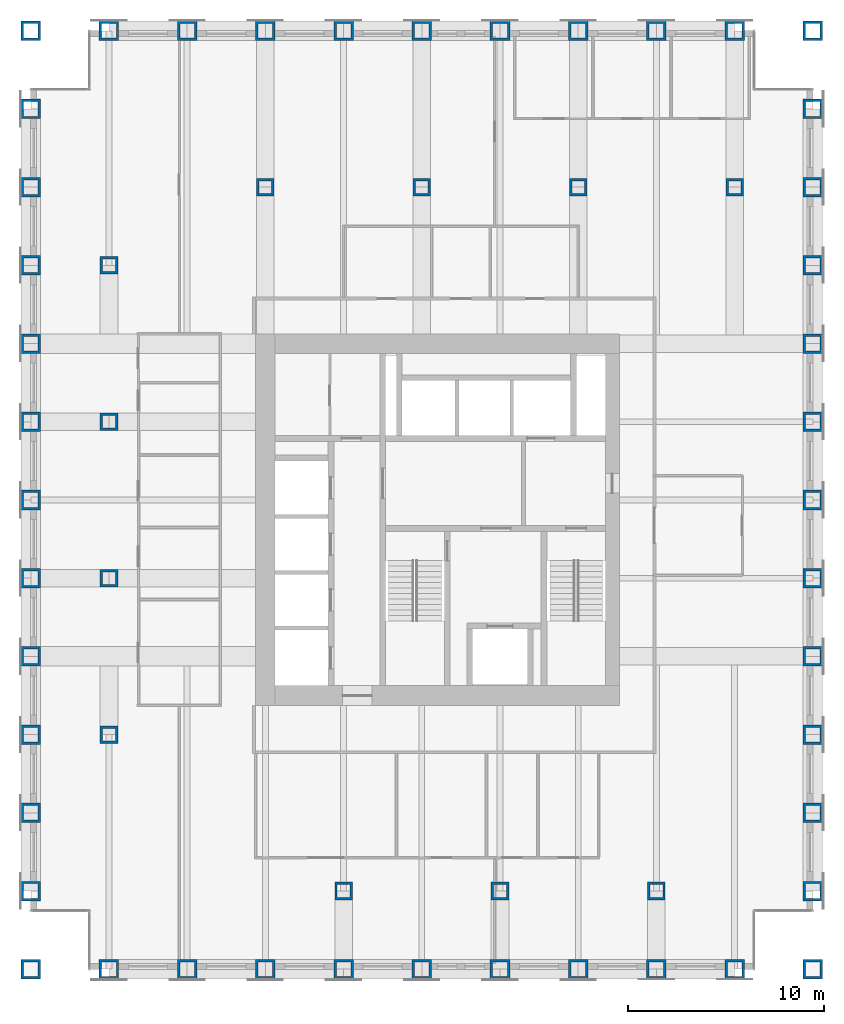
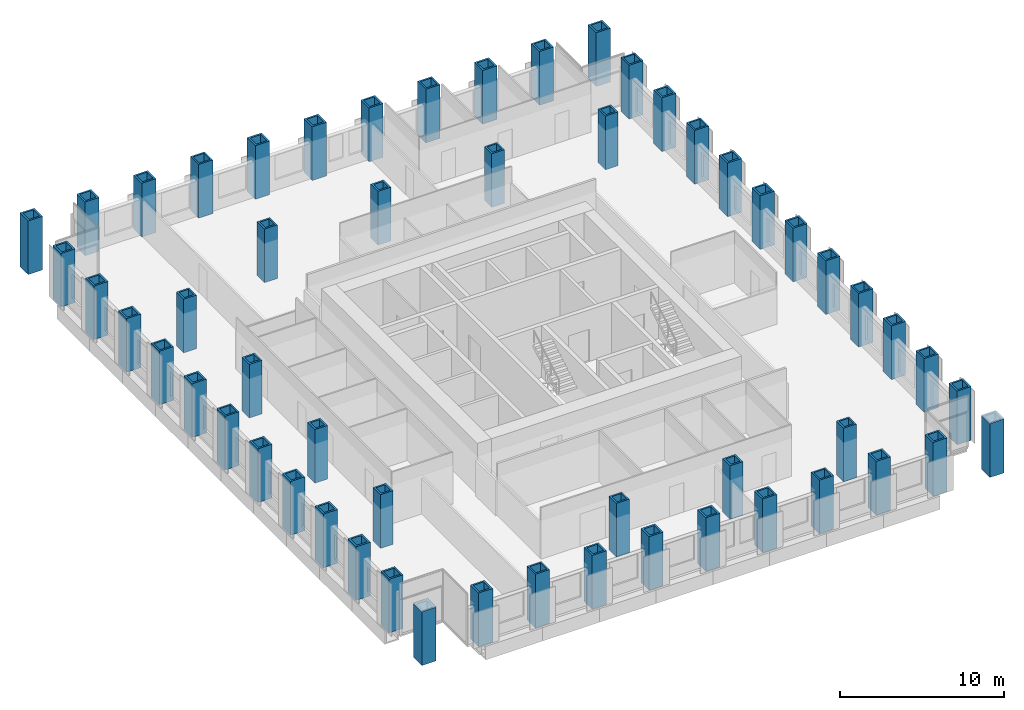
# One storey, part 1 of 12: 55 columns.
"""IFC4 building model written with IfcOpenShell, lengths in metres."""

import ifcopenshell
import ifcopenshell.guid

model = None  # the IFC model being written
_history = None  # IfcOwnerHistory: only IFC2X3 demands one
_inside = {}  # id of a spatial element -> (the spatial element, [elements in it])
_under = {}  # id of a project, library or spatial element -> (it, [spatial elements below it])
_declared = {}  # id of a project -> (the project, [libraries it declares])
_typed = {}  # id of a type object -> (the type object, [elements of that type])
_made_of = {}  # id of a material, layer set ... -> (it, [elements and type objects made of it])


def new_model(schema):
    """Start an empty IFC model of exactly this schema.

    Asked for "IFC4X3", IfcOpenShell would pick the latest addendum, in which some entities
    have other attributes; the version numbers below select the first issue.
    IFC2X3 requires an IfcOwnerHistory on every rooted entity: one is made here for all.
    """
    global model, _history
    if schema == "IFC4X3":
        model = ifcopenshell.file(schema_version=(4, 3, 0, 0))
    else:
        model = ifcopenshell.file(schema=schema)
    _inside.clear()
    _under.clear()
    _declared.clear()
    _typed.clear()
    _made_of.clear()
    _history = None
    if model.schema == "IFC2X3":
        org = make("IfcOrganization", Name="unknown")
        user = make(
            "IfcPersonAndOrganization",
            ThePerson=make("IfcPerson", FamilyName="unknown"),
            TheOrganization=org,
        )
        app = make(
            "IfcApplication",
            ApplicationDeveloper=org,
            Version="unknown",
            ApplicationFullName="unknown",
            ApplicationIdentifier="unknown",
        )
        _history = make(
            "IfcOwnerHistory",
            OwningUser=user,
            OwningApplication=app,
            ChangeAction="ADDED",
            CreationDate=0,
        )
    return model


def make(cls, **values):
    """One entity of the class cls with the attributes given. An attribute that is None is left unset."""
    return model.create_entity(
        cls, **{name: value for name, value in values.items() if value is not None}
    )


def rooted(cls, **values):
    """An entity with a GlobalId (a new one), such as an element, a storey or a relation."""
    return make(cls, GlobalId=ifcopenshell.guid.new(), OwnerHistory=_history, **values)


def si_unit(unit_type, name, prefix=None):
    """IfcSIUnit, for example si_unit("LENGTHUNIT", "METRE", prefix="MILLI")."""
    return make("IfcSIUnit", UnitType=unit_type, Prefix=prefix, Name=name)


def assignment(units):
    """IfcUnitAssignment: the units of a project."""
    return None if units is None else make("IfcUnitAssignment", Units=units)


def point(xyz):
    """IfcCartesianPoint."""
    return None if xyz is None else make("IfcCartesianPoint", Coordinates=xyz)


def direction(xyz):
    """IfcDirection."""
    return None if xyz is None else make("IfcDirection", DirectionRatios=xyz)


def frame(location, z_axis=None, x_axis=None):
    """IfcAxis2Placement3D, a coordinate frame: its origin and axes. An axis left out is left unset."""
    return make(
        "IfcAxis2Placement3D",
        Location=point(location),
        Axis=direction(z_axis),
        RefDirection=direction(x_axis),
    )


def frame_2d(location, x_axis=None):
    """IfcAxis2Placement2D, a coordinate frame in the plane: its origin and x axis."""
    return make(
        "IfcAxis2Placement2D", Location=point(location), RefDirection=direction(x_axis)
    )


def origin():
    """The frame at (0, 0, 0) with its axes left unset."""
    return frame((0.0, 0.0, 0.0))


def origin_2d():
    """The frame at (0, 0) in the plane with its x axis left unset."""
    return frame_2d((0.0, 0.0))


def place(relative_to, where):
    """IfcLocalPlacement: puts the frame where relative to a parent placement (None: the world)."""
    return make(
        "IfcLocalPlacement", PlacementRelTo=relative_to, RelativePlacement=where
    )


def context(
    kind, dimensions, precision=None, world=None, true_north=None, identifier=None
):
    """IfcGeometricRepresentationContext, for example the 3D "Model" context."""
    return make(
        "IfcGeometricRepresentationContext",
        ContextIdentifier=identifier,
        ContextType=kind,
        CoordinateSpaceDimension=dimensions,
        Precision=precision,
        WorldCoordinateSystem=world,
        TrueNorth=true_north,
    )


def subcontext(parent, identifier, kind, view, scale=None):
    """IfcGeometricRepresentationSubContext, for example "Body" below "Model"."""
    return make(
        "IfcGeometricRepresentationSubContext",
        ContextIdentifier=identifier,
        ContextType=kind,
        ParentContext=parent,
        TargetScale=scale,
        TargetView=view,
    )


def project(units=None, contexts=None):
    """IfcProject with its units and contexts."""
    return rooted(
        "IfcProject",
        Name="project",
        RepresentationContexts=contexts,
        UnitsInContext=assignment(units),
    )


def spatial(cls, under=None, at=None, **own):
    """A site, building, storey or space (cls), placed at a placement, below another one or the project."""
    s = rooted(cls, ObjectPlacement=at, **own)
    if under is not None:
        _under.setdefault(under.id(), (under, []))[1].append(s)
    return s


def profile(cls, at=None, kind="AREA", **sizes):
    """A parametric profile (cls). Its sizes go by their IFC names, for example OverallWidth=200.0."""
    return make(cls, ProfileType=kind, Position=at, **sizes)


def hollow_rectangle(**sizes):
    """IfcRectangleHollowProfileDef."""
    return profile("IfcRectangleHollowProfileDef", **sizes)


def extrude(swept, where, along, depth):
    """IfcExtrudedAreaSolid: the profile swept, set in the frame where, extruded along a direction by depth."""
    return make(
        "IfcExtrudedAreaSolid",
        SweptArea=swept,
        Position=where,
        ExtrudedDirection=direction(along),
        Depth=depth,
    )


def shape(context_of_items, identifier, shape_type, items):
    """IfcShapeRepresentation: the items that make up one representation, for example the "Body"."""
    return make(
        "IfcShapeRepresentation",
        ContextOfItems=context_of_items,
        RepresentationIdentifier=identifier,
        RepresentationType=shape_type,
        Items=items,
    )


def material(Name=None, Category=None):
    """IfcMaterial."""
    return make("IfcMaterial", Name=Name, Category=Category)


def material_profile(
    of_material, cross_section, Name=None, Category=None, Priority=None
):
    """IfcMaterialProfile: a cross section and its material."""
    return make(
        "IfcMaterialProfile",
        Name=Name,
        Material=of_material,
        Profile=cross_section,
        Priority=Priority,
        Category=Category,
    )


def profile_set(profiles, Name=None, composite=None):
    """IfcMaterialProfileSet."""
    return make(
        "IfcMaterialProfileSet",
        Name=Name,
        MaterialProfiles=profiles,
        CompositeProfile=composite,
    )


def made_of(thing, what):
    """Note that an element or type object is made of a material, layer set ...; save() writes the relation."""
    if what is not None:
        _made_of.setdefault(what.id(), (what, []))[1].append(thing)
    return thing


def type_object(cls, material=None, **own):
    """A type object (cls), such as IfcWallType, which elements share."""
    return made_of(rooted(cls, **own), material)


def element(
    cls,
    number,
    at=None,
    inside=None,
    cuts=None,
    type_object=None,
    material=None,
    context=None,
    identifier="Body",
    shape_type=None,
    held_by="IfcProductDefinitionShape",
    body=None,
    shapes=None,
    **own,
):
    """One element of the class cls, such as IfcWall. Its Tag is "e" and its number.

    at: its placement. inside: the storey or other place that contains it. cuts: it is an
    opening in that element (IfcRelVoidsElement). A single representation is given by context,
    identifier, shape_type and body (its items); several are given by shapes. held_by: the class
    of the entity that holds the representations. save() writes the other relations.
    """
    e = rooted(cls, Tag="e%d" % number, ObjectPlacement=at, **own)
    if body is not None:
        shapes = [shape(context, identifier, shape_type, body)]
    if shapes is not None:
        e.Representation = make(held_by, Representations=shapes)
    if inside is not None:
        _inside.setdefault(inside.id(), (inside, []))[1].append(e)
    if cuts is not None:
        rooted(
            "IfcRelVoidsElement", RelatingBuildingElement=cuts, RelatedOpeningElement=e
        )
    if type_object is not None:
        _typed.setdefault(type_object.id(), (type_object, []))[1].append(e)
    return made_of(e, material)


def aggregate(whole, parts):
    """IfcRelAggregates: a whole, such as a stair, and the parts it consists of."""
    return rooted("IfcRelAggregates", RelatingObject=whole, RelatedObjects=parts)


def save(model, path):
    """Write the relations noted so far, then the file.

    IfcRelAggregates (storeys below a building ...), IfcRelContainedInSpatialStructure (elements
    in a storey), IfcRelDefinesByType, IfcRelAssociatesMaterial and IfcRelDeclares: one each for
    every whole, place, type object, material and project.
    """
    for whole, parts in _under.values():
        aggregate(whole, parts)
    for where, things in _inside.values():
        rooted(
            "IfcRelContainedInSpatialStructure",
            RelatedElements=things,
            RelatingStructure=where,
        )
    for kind, things in _typed.values():
        rooted("IfcRelDefinesByType", RelatedObjects=things, RelatingType=kind)
    for what, things in _made_of.values():
        rooted("IfcRelAssociatesMaterial", RelatedObjects=things, RelatingMaterial=what)
    for by, libraries in _declared.values():
        rooted("IfcRelDeclares", RelatingContext=by, RelatedDefinitions=libraries)
    model.write(path)


model = new_model("IFC4")

# Units and contexts
model_context = context("Model", 3, precision=1e-05, world=origin(), true_north=direction((0.0, 1.0)))
body_context = subcontext(model_context, "Body", "Model", "MODEL_VIEW")
ifc_project = project(units=[si_unit("LENGTHUNIT", "METRE"), si_unit("AREAUNIT", "SQUARE_METRE"), si_unit("VOLUMEUNIT", "CUBIC_METRE"), si_unit("PLANEANGLEUNIT", "RADIAN"), si_unit("MASSUNIT", "GRAM", prefix="KILO")], contexts=[model_context])

# Site, building, storey
site_placement = place(None, origin())
site = spatial("IfcSite", under=ifc_project, at=site_placement, CompositionType="ELEMENT")
building_placement = place(site_placement, origin())
building = spatial("IfcBuilding", under=site, at=building_placement, Name="Rimbunsela Tower", CompositionType="ELEMENT")
storey_placement = place(building_placement, frame((0.0, 0.0, 167.800048828125)))
storey = spatial("IfcBuildingStorey", under=building, at=storey_placement, Name="L40", CompositionType="ELEMENT", Elevation=167.800048828125)

# Columns
ifc_material_1 = material(Name="Steel BJ 55 (fy 410 MPa)", Category="steel")
ifc_material_profile_1 = material_profile(ifc_material_1, hollow_rectangle(XDim=1.0, YDim=1.0, WallThickness=0.125, at=origin_2d()), Name="BOX 1000x1000x125")
ifc_profile_set_1 = profile_set([ifc_material_profile_1], Name="Steel BJ 55 (fy 410 MPa)")
column_type_1 = type_object("IfcColumnType", Name="Column BOX 1000x1000x125", PredefinedType="COLUMN", material=ifc_profile_set_1)
for number, where, z_axis, x_axis, name in (
    (1, (6.0, 4.0, 0.0), (0.0, 0.0, 1.0), (1.0, 0.0, 0.0), "Column C8 4/C L40"),
    (2, (6.0, 8.0, 0.0), (0.0, 0.0, 1.0), (1.0, 0.0, 0.0), "Column C8 4/D L40"),
    (3, (6.0, 12.0, 0.0), (0.0, 0.0, 1.0), (1.0, 0.0, 0.0), "Column C8 4/E L40"),
    (4, (6.0, 16.0, 0.0), (0.0, 0.0, 1.0), (1.0, 0.0, 0.0), "Column C8 4/F L40"),
    (5, (6.0, 20.0, 0.0), (0.0, 0.0, 1.0), (1.0, 0.0, 0.0), "Column C8 4/G L40"),
    (6, (6.0, 24.0, 0.0), (0.0, 0.0, 1.0), (1.0, 0.0, 0.0), "Column C8 4/H L40"),
    (7, (6.0, 28.0, 0.0), (0.0, 0.0, 1.0), (1.0, 0.0, 0.0), "Column C8 4/J L40"),
    (8, (6.0, 32.0, 0.0), (0.0, 0.0, 1.0), (1.0, 0.0, 0.0), "Column C8 4/K L40"),
    (9, (6.0, 36.0, 0.0), (0.0, 0.0, 1.0), (1.0, 0.0, 0.0), "Column C8 4/L L40"),
    (10, (6.0, 40.0, 0.0), (0.0, 0.0, 1.0), (1.0, 0.0, 0.0), "Column C8 4/M L40"),
    (11, (6.0, 44.0, 0.0), (0.0, 0.0, 1.0), (1.0, 0.0, 0.0), "Column C8 4/N L40"),
    (12, (6.0, 48.0, 0.0), (0.0, 0.0, 1.0), (1.0, 0.0, 0.0), "Column C8 4/P L40"),
    (13, (6.0, 52.0, 0.0), (0.0, 0.0, 1.0), (1.0, 0.0, 0.0), "Column C8 4/Q L40"),
    (14, (10.0, 4.0, 0.0), (0.0, 0.0, 1.0), (1.0, 0.0, 0.0), "Column C8 5/C L40"),
    (15, (10.0, 52.0, 0.0), (0.0, 0.0, 1.0), (1.0, 0.0, 0.0), "Column C8 5/Q L40"),
    (16, (14.0, 4.0, 0.0), (0.0, 0.0, 1.0), (1.0, 0.0, 0.0), "Column C8 6/C L40"),
    (17, (14.0, 52.0, 0.0), (0.0, 0.0, 1.0), (1.0, 0.0, 0.0), "Column C8 6/Q L40"),
    (18, (18.0, 4.0, 0.0), (0.0, 0.0, 1.0), (1.0, 0.0, 0.0), "Column C8 7/C L40"),
    (19, (18.0, 52.0, 0.0), (0.0, 0.0, 1.0), (1.0, 0.0, 0.0), "Column C8 7/Q L40"),
    (20, (22.0, 4.0, 0.0), (0.0, 0.0, 1.0), (1.0, 0.0, 0.0), "Column C8 8/C L40"),
    (21, (22.0, 52.0, 0.0), (0.0, 0.0, 1.0), (1.0, 0.0, 0.0), "Column C8 8/Q L40"),
    (22, (26.0, 4.0, 0.0), (0.0, 0.0, 1.0), (1.0, 0.0, 0.0), "Column C8 9/C L40"),
    (23, (26.0, 52.0, 0.0), (0.0, 0.0, 1.0), (1.0, 0.0, 0.0), "Column C8 9/Q L40"),
    (24, (30.0, 4.0, 0.0), (0.0, 0.0, 1.0), (1.0, 0.0, 0.0), "Column C8 10/C L40"),
    (25, (30.0, 52.0, 0.0), (0.0, 0.0, 1.0), (1.0, 0.0, 0.0), "Column C8 10/Q L40"),
    (26, (34.0, 4.0, 0.0), (0.0, 0.0, 1.0), (1.0, 0.0, 0.0), "Column C8 11/C L40"),
    (27, (34.0, 52.0, 0.0), (0.0, 0.0, 1.0), (1.0, 0.0, 0.0), "Column C8 11/Q L40"),
    (28, (38.0, 4.0, 0.0), (0.0, 0.0, 1.0), (1.0, 0.0, 0.0), "Column C8 12/C L40"),
    (29, (38.0, 52.0, 0.0), (0.0, 0.0, 1.0), (1.0, 0.0, 0.0), "Column C8 12/Q L40"),
    (30, (42.0, 4.0, 0.0), (0.0, 0.0, 1.0), (1.0, 0.0, 0.0), "Column C8 13/C L40"),
    (31, (42.0, 52.0, 0.0), (0.0, 0.0, 1.0), (1.0, 0.0, 0.0), "Column C8 13/Q L40"),
    (32, (46.0, 4.0, 0.0), (0.0, 0.0, 1.0), (1.0, 0.0, 0.0), "Column C8 14/C L40"),
    (33, (46.0, 8.0, 0.0), (0.0, 0.0, 1.0), (1.0, 0.0, 0.0), "Column C8 14/D L40"),
    (34, (46.0, 12.0, 0.0), (0.0, 0.0, 1.0), (1.0, 0.0, 0.0), "Column C8 14/E L40"),
    (35, (46.0, 16.0, 0.0), (0.0, 0.0, 1.0), (1.0, 0.0, 0.0), "Column C8 14/F L40"),
    (36, (46.0, 20.0, 0.0), (0.0, 0.0, 1.0), (1.0, 0.0, 0.0), "Column C8 14/G L40"),
    (37, (46.0, 24.0, 0.0), (0.0, 0.0, 1.0), (1.0, 0.0, 0.0), "Column C8 14/H L40"),
    (38, (46.0, 28.0, 0.0), (0.0, 0.0, 1.0), (1.0, 0.0, 0.0), "Column C8 14/J L40"),
    (39, (46.0, 32.0, 0.0), (0.0, 0.0, 1.0), (1.0, 0.0, 0.0), "Column C8 14/K L40"),
    (40, (46.0, 36.0, 0.0), (0.0, 0.0, 1.0), (1.0, 0.0, 0.0), "Column C8 14/L L40"),
    (41, (46.0, 40.0, 0.0), (0.0, 0.0, 1.0), (1.0, 0.0, 0.0), "Column C8 14/M L40"),
    (42, (46.0, 44.0, 0.0), (0.0, 0.0, 1.0), (1.0, 0.0, 0.0), "Column C8 14/N L40"),
    (43, (46.0, 48.0, 0.0), (0.0, 0.0, 1.0), (1.0, 0.0, 0.0), "Column C8 14/P L40"),
    (44, (46.0, 52.0, 0.0), (0.0, 0.0, 1.0), (1.0, 0.0, 0.0), "Column C8 14/Q L40"),
):
    element("IfcColumn", number, at=place(storey_placement, frame(where, z_axis=z_axis, x_axis=x_axis)), inside=storey, type_object=column_type_1, Name=name, PredefinedType="COLUMN", context=body_context, shape_type="SweptSolid", body=[
        extrude(hollow_rectangle(XDim=1.0, YDim=1.0, WallThickness=0.125, at=origin_2d()), origin(), (0.0, 0.0, 1.0), 4.0),
    ])
ifc_material_2 = material(Name="Steel BJ 55 (fy 410 MPa)", Category="steel")
ifc_material_profile_2 = material_profile(ifc_material_2, hollow_rectangle(XDim=0.89990234375, YDim=0.89990234375, WallThickness=0.125, at=origin_2d()), Name="BOX 900x900x125")
ifc_profile_set_2 = profile_set([ifc_material_profile_2], Name="Steel BJ 55 (fy 410 MPa)")
column_type_2 = type_object("IfcColumnType", Name="Column BOX 900x900x125", PredefinedType="COLUMN", material=ifc_profile_set_2)
for number, where, z_axis, x_axis, name in (
    (45, (10.0, 16.0, 0.0), (0.0, 0.0, 1.0), (1.0, 0.0, 0.0), "Column C9 5/F L40"),
    (46, (10.0, 24.0, 0.0), (0.0, 0.0, 1.0), (1.0, 0.0, 0.0), "Column C9 5/H L40"),
    (47, (10.0, 32.0, 0.0), (0.0, 0.0, 1.0), (1.0, 0.0, 0.0), "Column C9 5/K L40"),
    (48, (10.0, 40.0, 0.0), (0.0, 0.0, 1.0), (1.0, 0.0, 0.0), "Column C9 5/M L40"),
    (49, (18.0, 44.0, 0.0), (0.0, 0.0, 1.0), (1.0, 0.0, 0.0), "Column C9 7/N L40"),
    (50, (22.0, 8.0, 0.0), (0.0, 0.0, 1.0), (1.0, 0.0, 0.0), "Column C9 8/D L40"),
    (51, (26.0, 44.0, 0.0), (0.0, 0.0, 1.0), (1.0, 0.0, 0.0), "Column C9 9/N L40"),
    (52, (30.0, 8.0, 0.0), (0.0, 0.0, 1.0), (1.0, 0.0, 0.0), "Column C9 10/D L40"),
    (53, (34.0, 44.0, 0.0), (0.0, 0.0, 1.0), (1.0, 0.0, 0.0), "Column C9 11/N L40"),
    (54, (38.0, 8.0, 0.0), (0.0, 0.0, 1.0), (1.0, 0.0, 0.0), "Column C9 12/D L40"),
    (55, (42.0, 44.0, 0.0), (0.0, 0.0, 1.0), (1.0, 0.0, 0.0), "Column C9 13/N L40"),
):
    element("IfcColumn", number, at=place(storey_placement, frame(where, z_axis=z_axis, x_axis=x_axis)), inside=storey, type_object=column_type_2, Name=name, PredefinedType="COLUMN", context=body_context, shape_type="SweptSolid", body=[
        extrude(hollow_rectangle(XDim=0.89990234375, YDim=0.89990234375, WallThickness=0.125, at=origin_2d()), origin(), (0.0, 0.0, 1.0), 4.0),
    ])

save(model, "model.ifc")
